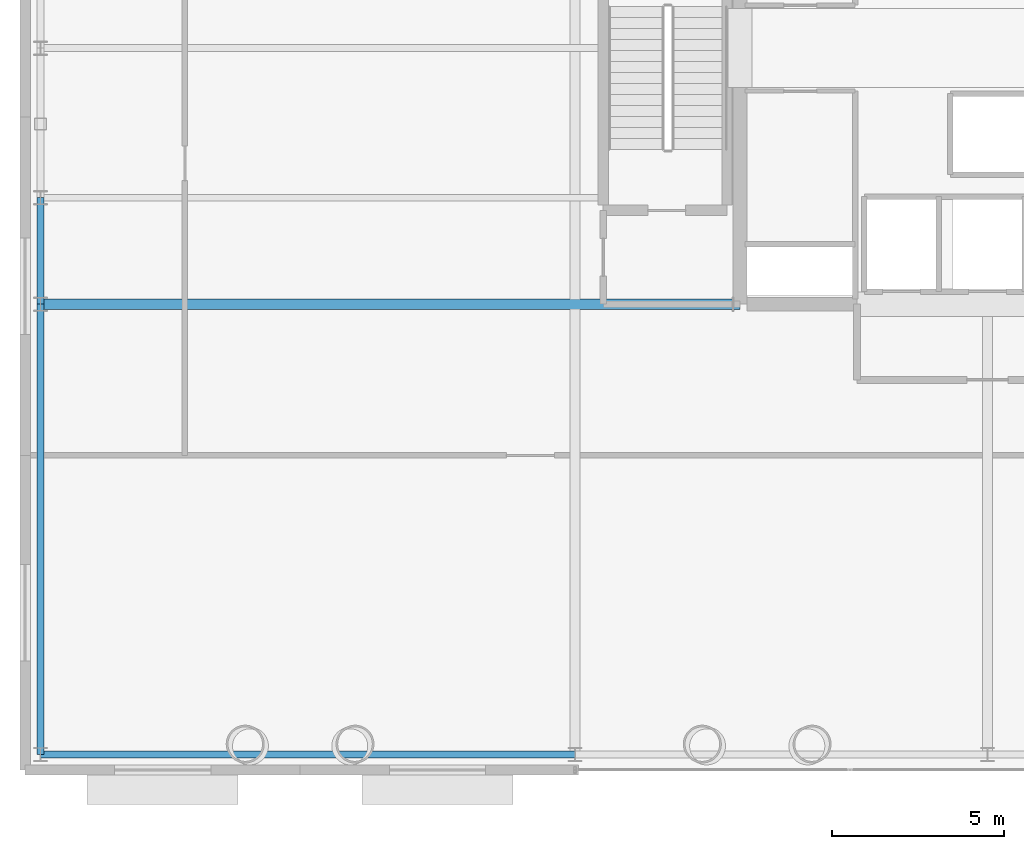
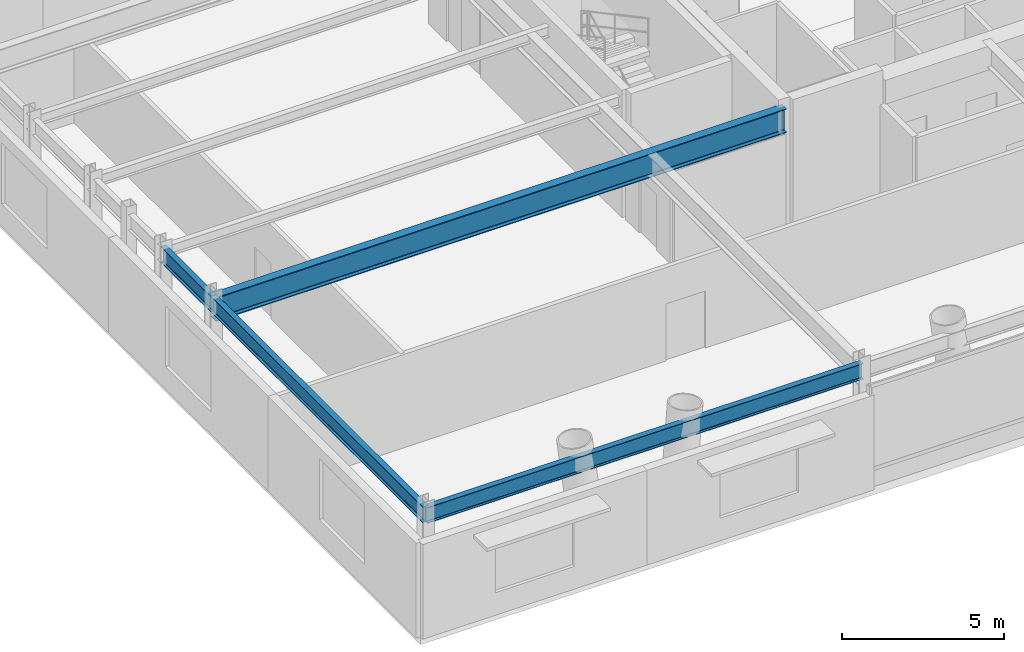
# One storey, part 5 of 26: 4 beams.
"""IFC4 building model written with IfcOpenShell, lengths in metres."""

from ifc_helpers import new_model, si_unit, direction, frame, origin, origin_2d, place, context, subcontext, project, spatial, i_section, extrude, material, material_profile, profile_set, type_object, element, save


model = new_model("IFC4")

# Units and contexts
model_context = context("Model", 3, precision=1e-05, world=origin(), true_north=direction((0.0, 1.0)))
body_context = subcontext(model_context, "Body", "Model", "MODEL_VIEW")
ifc_project = project(units=[si_unit("LENGTHUNIT", "METRE"), si_unit("AREAUNIT", "SQUARE_METRE"), si_unit("VOLUMEUNIT", "CUBIC_METRE"), si_unit("PLANEANGLEUNIT", "RADIAN"), si_unit("MASSUNIT", "GRAM", prefix="KILO")], contexts=[model_context])

# Site, building, storey
site_placement = place(None, origin())
site = spatial("IfcSite", under=ifc_project, at=site_placement, CompositionType="ELEMENT")
building_placement = place(site_placement, origin())
building = spatial("IfcBuilding", under=site, at=building_placement, Name="Veldorina Hangang Commons", CompositionType="ELEMENT")
storey_placement = place(building_placement, frame((0.0, 0.0, 5.199951171875)))
storey = spatial("IfcBuildingStorey", under=building, at=storey_placement, Name="L01", CompositionType="ELEMENT", Elevation=5.199951171875)

# Beams
ifc_material_1 = material(Name="Steel SM460-TMC", Category="steel")
ifc_material_profile_1 = material_profile(ifc_material_1, i_section(OverallWidth=0.300048828125, OverallDepth=0.89990234375, WebThickness=0.01611328125, FlangeThickness=0.028076171875, FilletRadius=0.02197265625, at=origin_2d()), Name="H-900x300x16x28")
ifc_profile_set_1 = profile_set([ifc_material_profile_1], Name="Steel SM460-TMC")
beam_type_1 = type_object("IfcBeamType", Name="BM-PG900", PredefinedType="BEAM", material=ifc_profile_set_1)
beam_1_placement = place(storey_placement, frame((4.449951171875, 16.550048828125, 4.050048828125), z_axis=(1.0, 0.0, 0.0), x_axis=(0.0, 1.0, 0.0)))
element("IfcBeam", 1, at=beam_1_placement, inside=storey, type_object=beam_type_1, Name="L01 west collector girder GD", PredefinedType="BEAM", context=body_context, shape_type="SweptSolid", body=[
    extrude(i_section(OverallWidth=0.300048828125, OverallDepth=0.89990234375, WebThickness=0.01611328125, FlangeThickness=0.028076171875, FilletRadius=0.02197265625, at=origin_2d()), origin(), (0.0, 0.0, 1.0), 20.35009765625),
])
ifc_material_2 = material(Name="Steel SM420-TMC", Category="steel")
ifc_material_profile_2 = material_profile(ifc_material_2, i_section(OverallWidth=0.199951171875, OverallDepth=0.60009765625, WebThickness=0.010986328125, FlangeThickness=0.01708984375, FilletRadius=0.01806640625, at=origin_2d()), Name="H-600x200x11x17")
ifc_profile_set_2 = profile_set([ifc_material_profile_2], Name="Steel SM420-TMC")
beam_type_2 = type_object("IfcBeamType", Name="BM-SPN600", PredefinedType="SPANDREL", material=ifc_profile_set_2)
beam_2_placement = place(storey_placement, frame((4.449951171875, 3.449951171875, 4.199951171875), z_axis=(1.0, 0.0, 0.0), x_axis=(0.0, 1.0, 0.0)))
element("IfcBeam", 2, at=beam_2_placement, inside=storey, type_object=beam_type_2, Name="L01 south spandrel beam 1", PredefinedType="SPANDREL", context=body_context, shape_type="SweptSolid", body=[
    extrude(i_section(OverallWidth=0.199951171875, OverallDepth=0.60009765625, WebThickness=0.010986328125, FlangeThickness=0.01708984375, FilletRadius=0.01806640625, at=origin_2d()), origin(), (0.0, 0.0, 1.0), 15.550048828125),
])
beam_3_placement = place(storey_placement, frame((4.449951171875, 3.449951171875, 4.199951171875), z_axis=(0.0, 1.0, 0.0), x_axis=(-1.0, 0.0, 0.0)))
element("IfcBeam", 3, at=beam_3_placement, inside=storey, type_object=beam_type_2, Name="L01 west spandrel beam 1", PredefinedType="SPANDREL", context=body_context, shape_type="SweptSolid", body=[
    extrude(i_section(OverallWidth=0.199951171875, OverallDepth=0.60009765625, WebThickness=0.010986328125, FlangeThickness=0.01708984375, FilletRadius=0.01806640625, at=origin_2d()), origin(), (0.0, 0.0, 1.0), 13.10009765625),
])
beam_4_placement = place(storey_placement, frame((4.449951171875, 16.550048828125, 4.199951171875), z_axis=(0.0, 1.0, 0.0), x_axis=(-1.0, 0.0, 0.0)))
element("IfcBeam", 4, at=beam_4_placement, inside=storey, type_object=beam_type_2, Name="L01 west spandrel beam 2", PredefinedType="SPANDREL", context=body_context, shape_type="SweptSolid", body=[
    extrude(i_section(OverallWidth=0.199951171875, OverallDepth=0.60009765625, WebThickness=0.010986328125, FlangeThickness=0.01708984375, FilletRadius=0.01806640625, at=origin_2d()), origin(), (0.0, 0.0, 1.0), 3.099853515625),
])

save(model, "model.ifc")
